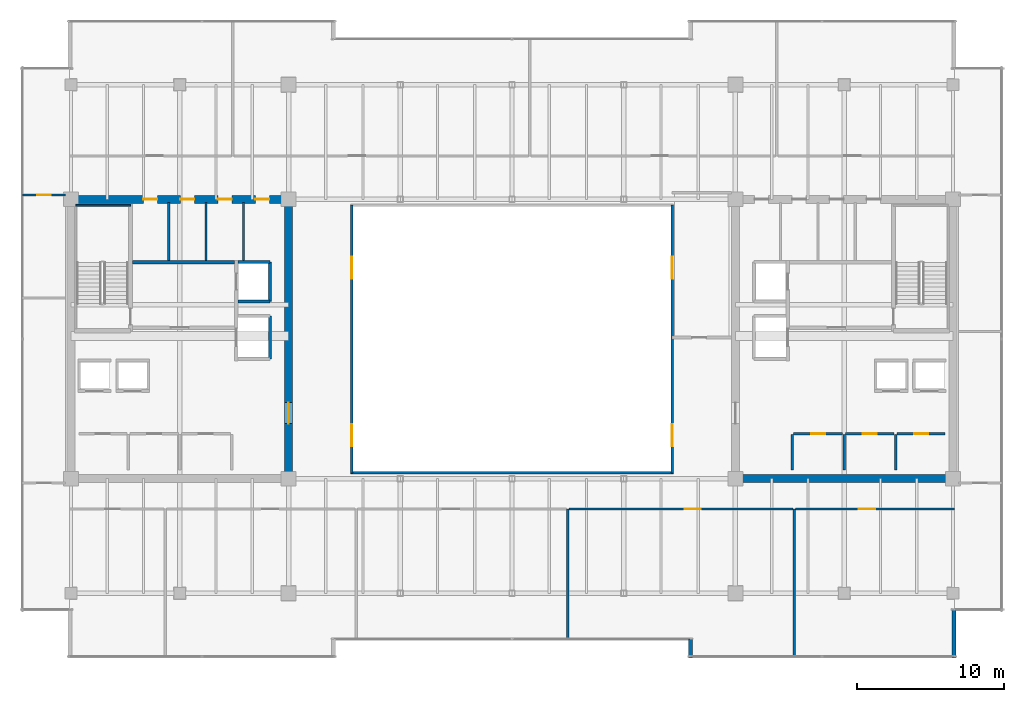
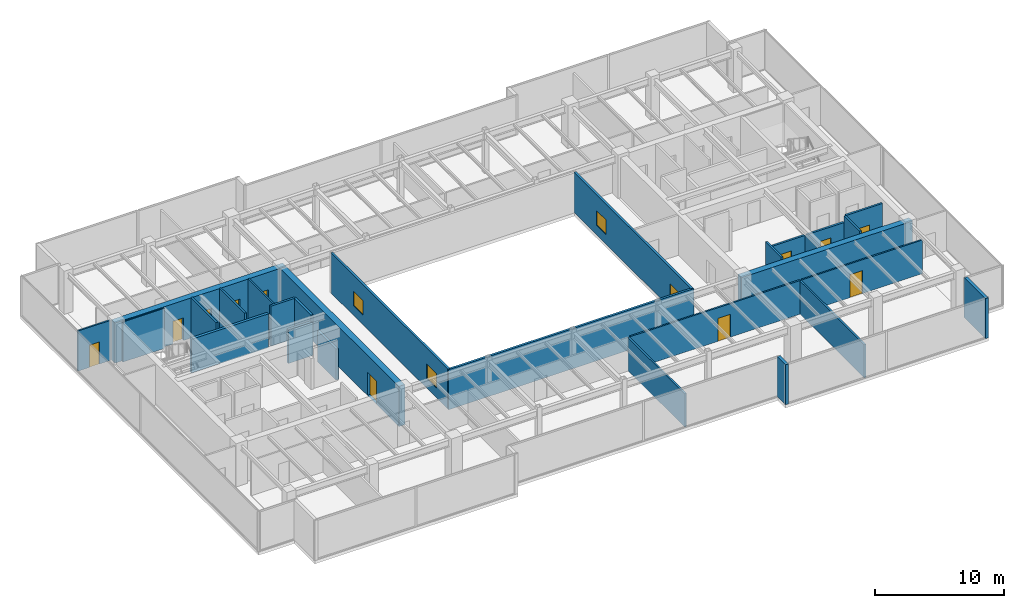
# One storey, part 29 of 35: 28 walls, 11 doors, 4 windows, 15 openings.
"""IFC4 building model written with IfcOpenShell, lengths in metres."""

from ifc_helpers import new_model, si_unit, direction, frame, frame_2d, origin, place, context, subcontext, project, spatial, rectangle, extrude, source, transform, mapped, material, layer, layer_set, type_object, type_shapes, element, fill, save


model = new_model("IFC4")

# Units and contexts
model_context = context("Model", 3, precision=1e-05, world=origin(), true_north=direction((0.0, 1.0)))
body_context = subcontext(model_context, "Body", "Model", "MODEL_VIEW")
ifc_project = project(units=[si_unit("LENGTHUNIT", "METRE"), si_unit("AREAUNIT", "SQUARE_METRE"), si_unit("VOLUMEUNIT", "CUBIC_METRE"), si_unit("PLANEANGLEUNIT", "RADIAN"), si_unit("MASSUNIT", "GRAM", prefix="KILO")], contexts=[model_context])

# Site, building, storey
site_placement = place(None, origin())
site = spatial("IfcSite", under=ifc_project, at=site_placement, CompositionType="ELEMENT")
building_placement = place(site_placement, origin())
building = spatial("IfcBuilding", under=site, at=building_placement, Name="Haelvirn Gate Laboratories", CompositionType="ELEMENT")
storey_placement = place(building_placement, frame((0.0, 0.0, 226.0)))
storey = spatial("IfcBuildingStorey", under=building, at=storey_placement, Name="L54", CompositionType="ELEMENT", Elevation=226.0)

# Walls
ifc_material_1 = material(Name="Thermally-broken bronze aluminium rainscreen & mineral wool", Category="aluminium")
ifc_layer_1 = layer(ifc_material_1, 0.280029296875, Name="EW-TERR-280")
ifc_layer_set_1 = layer_set([ifc_layer_1], Name="Thermally-broken bronze aluminium rainscreen & mineral wool")
wall_type_1 = type_object("IfcWallType", Name="EW-TERR-280", PredefinedType="STANDARD", material=ifc_layer_set_1)
wall_1_placement = place(storey_placement, frame((49.5400390625, 3.89306640625, 0.0), z_axis=(0.0, 0.0, 1.0), x_axis=(0.0, -1.0, 0.0)))
element("IfcWall", 1, at=wall_1_placement, inside=storey, type_object=wall_type_1, Name="L54 Atrium Recess Bronze Return Wall 03", PredefinedType="STANDARD", context=body_context, shape_type="SweptSolid", body=[
    extrude(rectangle(XDim=1.29296875, YDim=0.280029296875, at=frame_2d((0.646484375, 0.0))), origin(), (0.0, 0.0, 1.0), 3.800048828125),
])
wall_2_placement = place(storey_placement, frame((67.4599609375, 2.60009765625, 0.0), z_axis=(0.0, 0.0, 1.0), x_axis=(0.0, 1.0, 0.0)))
element("IfcWall", 2, at=wall_2_placement, inside=storey, type_object=wall_type_1, Name="L54 Atrium Recess Bronze Return Wall 05", PredefinedType="STANDARD", context=body_context, shape_type="SweptSolid", body=[
    extrude(rectangle(XDim=3.287841796875, YDim=0.280029296875, at=frame_2d((1.64404296875, 0.0))), origin(), (0.0, 0.0, 1.0), 3.800048828125),
])
ifc_material_2 = material(Name="Double-layer acoustic gypsum laboratory partition", Category="gypsum")
ifc_layer_2 = layer(ifc_material_2, 0.159912109375, Name="IW-ACOUST-160")
ifc_layer_set_2 = layer_set([ifc_layer_2], Name="Double-layer acoustic gypsum laboratory partition")
wall_type_2 = type_object("IfcWallType", Name="IW-ACOUST-160", PredefinedType="PARTITIONING", material=ifc_layer_set_2)
wall_3_placement = place(storey_placement, frame((41.199951171875, 3.909912109375, 0.0), z_axis=(0.0, 0.0, 1.0), x_axis=(0.0, 1.0, 0.0)))
element("IfcWall", 3, at=wall_3_placement, inside=storey, type_object=wall_type_2, Name="L54 Interior Wall IW-L54-SDIV-03", PredefinedType="PARTITIONING", context=body_context, shape_type="SweptSolid", body=[
    extrude(rectangle(XDim=8.830078125, YDim=0.159912109375, at=frame_2d((4.4150390625, 0.0))), origin(), (0.0, 0.0, 1.0), 3.135009765625),
])
wall_4_placement = place(storey_placement, frame((56.60009765625, 2.7099609375, 0.0), z_axis=(0.0, 0.0, 1.0), x_axis=(0.0, 1.0, 0.0)))
element("IfcWall", 4, at=wall_4_placement, inside=storey, type_object=wall_type_2, Name="L54 Interior Wall IW-L54-SDIV-04", PredefinedType="PARTITIONING", context=body_context, shape_type="SweptSolid", body=[
    extrude(rectangle(XDim=10.030029296875, YDim=0.159912109375, at=frame_2d((5.01513671875, 0.0))), origin(), (0.0, 0.0, 1.0), 3.135009765625),
])

# Wall, openings, windows
ifc_material_3 = material(Name="Tempered fire-rated borosilicate glass & anodised aluminium", Category="aluminium")
ifc_layer_3 = layer(ifc_material_3, 0.195068359375, Name="IW-GLAZ-200")
ifc_layer_set_3 = layer_set([ifc_layer_3], Name="Tempered fire-rated borosilicate glass & anodised aluminium")
wall_type_3 = type_object("IfcWallType", Name="IW-GLAZ-200", PredefinedType="SOLIDWALL", material=ifc_layer_set_3)
wall_5_placement = place(storey_placement, frame((26.5, 15.199951171875, 0.0), z_axis=(0.0, 0.0, 1.0), x_axis=(0.0, 1.0, 0.0)))
wall_5 = element("IfcWall", 5, at=wall_5_placement, inside=storey, type_object=wall_type_3, Name="L54 Interior Wall IW-L54-ATRIUM-W", PredefinedType="SOLIDWALL", context=body_context, shape_type="SweptSolid", body=[
    extrude(rectangle(XDim=18.199951171875, YDim=0.195068359375, at=frame_2d((9.10009765625, 0.0))), origin(), (0.0, 0.0, 1.0), 3.800048828125),
])
opening_1_placement = place(wall_5_placement, frame((1.800048828125, 0.0, 0.89990234375)))
opening_1 = element("IfcOpeningElement", 6, at=opening_1_placement, cuts=wall_5, Name="Opening W5", PredefinedType="OPENING", context=body_context, shape_type="SweptSolid", body=[
    extrude(rectangle(XDim=1.5, YDim=1.39990234375, at=frame_2d((0.75, 0.699951171875))), frame((0.0, 0.107421875, 0.0), z_axis=(0.0, -1.0, 0.0), x_axis=(1.0, 0.0, 0.0)), (0.0, 0.0, 1.0), 0.215087890625),
])
opening_2_placement = place(wall_5_placement, frame((13.199951171875, 0.0, 0.89990234375)))
opening_2 = element("IfcOpeningElement", 7, at=opening_2_placement, cuts=wall_5, Name="Opening W5", PredefinedType="OPENING", context=body_context, shape_type="SweptSolid", body=[
    extrude(rectangle(XDim=1.5, YDim=1.39990234375, at=frame_2d((0.75, 0.699951171875))), frame((0.0, 0.107421875, 0.0), z_axis=(0.0, -1.0, 0.0), x_axis=(1.0, 0.0, 0.0)), (0.0, 0.0, 1.0), 0.215087890625),
])
ifc_material_4 = material(Name="Fire-rated EI 120 borosilicate atrium vision glazing", Category="glass")
window_type = type_object("IfcWindowType", Name="WN-ATR-1500", PartitioningType="SINGLE_PANEL", PredefinedType="WINDOW", material=ifc_material_4)
shared_shape_1 = source(origin(), body_context, "Body", "SweptSolid", [
    extrude(rectangle(XDim=1.5, YDim=1.39990234375, at=frame_2d((0.75, 0.699951171875))), frame((0.0, 0.030029296875, 0.0), z_axis=(0.0, -1.0, 0.0), x_axis=(1.0, 0.0, 0.0)), (0.0, 0.0, 1.0), 0.06005859375),
])
type_shapes(window_type, [shared_shape_1])
window_1_placement = place(opening_1_placement, origin())
window_1 = element("IfcWindow", 8, at=window_1_placement, inside=storey, type_object=window_type, Name="L54 Atrium Observation Window 1", OverallHeight=1.39990234375, OverallWidth=1.5, PartitioningType="SINGLE_PANEL", PredefinedType="WINDOW", context=body_context, shape_type="MappedRepresentation", body=[
    mapped(shared_shape_1, transform((0.0, 0.0, 0.0), scale=1.0)),
])
fill(opening_1, window_1)
window_2_placement = place(opening_2_placement, origin())
window_2 = element("IfcWindow", 9, at=window_2_placement, inside=storey, type_object=window_type, Name="L54 Atrium Observation Window 2", OverallHeight=1.39990234375, OverallWidth=1.5, PartitioningType="SINGLE_PANEL", PredefinedType="WINDOW", context=body_context, shape_type="MappedRepresentation", body=[
    mapped(shared_shape_1, transform((0.0, 0.0, 0.0), scale=1.0)),
])
fill(opening_2, window_2)

wall_6_placement = place(storey_placement, frame((48.300048828125, 15.199951171875, 0.0), z_axis=(0.0, 0.0, 1.0), x_axis=(0.0, 1.0, 0.0)))
wall_6 = element("IfcWall", 10, at=wall_6_placement, inside=storey, type_object=wall_type_3, Name="L54 Interior Wall IW-L54-ATRIUM-E", PredefinedType="SOLIDWALL", context=body_context, shape_type="SweptSolid", body=[
    extrude(rectangle(XDim=18.199951171875, YDim=0.195068359375, at=frame_2d((9.10009765625, 0.0))), origin(), (0.0, 0.0, 1.0), 3.800048828125),
])
opening_3_placement = place(wall_6_placement, frame((1.800048828125, 0.0, 0.89990234375)))
opening_3 = element("IfcOpeningElement", 11, at=opening_3_placement, cuts=wall_6, Name="Opening W5", PredefinedType="OPENING", context=body_context, shape_type="SweptSolid", body=[
    extrude(rectangle(XDim=1.5, YDim=1.39990234375, at=frame_2d((0.75, 0.699951171875))), frame((0.0, 0.107421875, 0.0), z_axis=(0.0, -1.0, 0.0), x_axis=(1.0, 0.0, 0.0)), (0.0, 0.0, 1.0), 0.215087890625),
])
opening_4_placement = place(wall_6_placement, frame((13.199951171875, 0.0, 0.89990234375)))
opening_4 = element("IfcOpeningElement", 12, at=opening_4_placement, cuts=wall_6, Name="Opening W5", PredefinedType="OPENING", context=body_context, shape_type="SweptSolid", body=[
    extrude(rectangle(XDim=1.5, YDim=1.39990234375, at=frame_2d((0.75, 0.699951171875))), frame((0.0, 0.107421875, 0.0), z_axis=(0.0, -1.0, 0.0), x_axis=(1.0, 0.0, 0.0)), (0.0, 0.0, 1.0), 0.215087890625),
])
window_3_placement = place(opening_3_placement, origin())
window_3 = element("IfcWindow", 13, at=window_3_placement, inside=storey, type_object=window_type, Name="L54 Atrium Observation Window 1", OverallHeight=1.39990234375, OverallWidth=1.5, PartitioningType="SINGLE_PANEL", PredefinedType="WINDOW", context=body_context, shape_type="MappedRepresentation", body=[
    mapped(shared_shape_1, transform((0.0, 0.0, 0.0), scale=1.0)),
])
fill(opening_3, window_3)
window_4_placement = place(opening_4_placement, origin())
window_4 = element("IfcWindow", 14, at=window_4_placement, inside=storey, type_object=window_type, Name="L54 Atrium Observation Window 2", OverallHeight=1.39990234375, OverallWidth=1.5, PartitioningType="SINGLE_PANEL", PredefinedType="WINDOW", context=body_context, shape_type="MappedRepresentation", body=[
    mapped(shared_shape_1, transform((0.0, 0.0, 0.0), scale=1.0)),
])
fill(opening_4, window_4)

# Wall
wall_7_placement = place(storey_placement, frame((26.39990234375, 15.199951171875, 0.0), z_axis=(0.0, 0.0, 1.0), x_axis=(1.0, 0.0, 0.0)))
element("IfcWall", 15, at=wall_7_placement, inside=storey, type_object=wall_type_3, Name="L54 Interior Wall IW-L54-ATRIUM-S", PredefinedType="SOLIDWALL", context=body_context, shape_type="SweptSolid", body=[
    extrude(rectangle(XDim=22.0, YDim=0.195068359375, at=frame_2d((11.0, 0.0))), origin(), (0.0, 0.0, 1.0), 3.800048828125),
])

# Wall, opening, door
ifc_material_5 = material(Name="Acoustic mineral-wool gypsum board partition", Category="gypsum")
ifc_layer_4 = layer(ifc_material_5, 0.139892578125, Name="IW-PART-140")
ifc_layer_set_4 = layer_set([ifc_layer_4], Name="Acoustic mineral-wool gypsum board partition")
wall_type_4 = type_object("IfcWallType", Name="IW-PART-140", PredefinedType="PARTITIONING", material=ifc_layer_set_4)
wall_8_placement = place(storey_placement, frame((41.280029296875, 12.739990234375, 0.0), z_axis=(0.0, 0.0, 1.0), x_axis=(1.0, 0.0, 0.0)))
wall_8 = element("IfcWall", 16, at=wall_8_placement, inside=storey, type_object=wall_type_4, Name="L54 Interior Wall IW-L54-SCORR-04", PredefinedType="PARTITIONING", context=body_context, shape_type="SweptSolid", body=[
    extrude(rectangle(XDim=15.239990234375, YDim=0.139892578125, at=frame_2d((7.6201171875, 0.0))), origin(), (0.0, 0.0, 1.0), 3.197021484375),
])
opening_5_placement = place(wall_8_placement, frame((7.87646484375, 0.0, 0.0)))
opening_5 = element("IfcOpeningElement", 17, at=opening_5_placement, cuts=wall_8, Name="Opening D1", PredefinedType="OPENING", context=body_context, shape_type="SweptSolid", body=[
    extrude(rectangle(XDim=1.10009765625, YDim=2.179931640625, at=frame_2d((0.550048828125, 1.08984375))), frame((0.0, 0.080078125, 0.0), z_axis=(0.0, -1.0, 0.0), x_axis=(1.0, 0.0, 0.0)), (0.0, 0.0, 1.0), 0.159912109375),
])
ifc_material_6 = material(Name="Vision-panel acoustic solid-core timber lab door", Category="wood")
door_type_1 = type_object("IfcDoorType", Name="DR-LAB-1100", OperationType="NOTDEFINED", PredefinedType="DOOR", material=ifc_material_6)
shared_shape_2 = source(origin(), body_context, "Body", "SweptSolid", [
    extrude(rectangle(XDim=1.10009765625, YDim=2.179931640625, at=frame_2d((0.550048828125, 1.08984375))), frame((0.0, 0.02490234375, 0.0), z_axis=(0.0, -1.0, 0.0), x_axis=(1.0, 0.0, 0.0)), (0.0, 0.0, 1.0), 0.050048828125),
])
type_shapes(door_type_1, [shared_shape_2])
door_1_placement = place(opening_5_placement, origin())
door_1 = element("IfcDoor", 18, at=door_1_placement, inside=storey, type_object=door_type_1, Name="L54 Translational Data Office Door S4", OperationType="SINGLE_SWING_RIGHT", OverallHeight=2.179931640625, OverallWidth=1.10009765625, PredefinedType="DOOR", context=body_context, shape_type="MappedRepresentation", body=[
    mapped(shared_shape_2, transform((0.0, 0.0, 0.0), scale=1.0)),
])
fill(opening_5, door_1)

wall_9_placement = place(storey_placement, frame((56.679931640625, 12.739990234375, 0.0), z_axis=(0.0, 0.0, 1.0), x_axis=(1.0, 0.0, 0.0)))
wall_9 = element("IfcWall", 19, at=wall_9_placement, inside=storey, type_object=wall_type_4, Name="L54 Interior Wall IW-L54-SCORR-05", PredefinedType="PARTITIONING", context=body_context, shape_type="SweptSolid", body=[
    extrude(rectangle(XDim=10.81005859375, YDim=0.139892578125, at=frame_2d((5.405029296875, 0.0))), origin(), (0.0, 0.0, 1.0), 3.197021484375),
])
opening_6_placement = place(wall_9_placement, frame((4.314453125, 0.0, 0.0)))
opening_6 = element("IfcOpeningElement", 20, at=opening_6_placement, cuts=wall_9, Name="Opening D1", PredefinedType="OPENING", context=body_context, shape_type="SweptSolid", body=[
    extrude(rectangle(XDim=1.10009765625, YDim=2.179931640625, at=frame_2d((0.550048828125, 1.08984375))), frame((0.0, 0.080078125, 0.0), z_axis=(0.0, -1.0, 0.0), x_axis=(1.0, 0.0, 0.0)), (0.0, 0.0, 1.0), 0.159912109375),
])
door_2_placement = place(opening_6_placement, origin())
door_2 = element("IfcDoor", 21, at=door_2_placement, inside=storey, type_object=door_type_1, Name="L54 Peer-Review Seminar Room Door S5", OperationType="SINGLE_SWING_LEFT", OverallHeight=2.179931640625, OverallWidth=1.10009765625, PredefinedType="DOOR", context=body_context, shape_type="MappedRepresentation", body=[
    mapped(shared_shape_2, transform((0.0, 0.0, 0.0), scale=1.0)),
])
fill(opening_6, door_2)

wall_10_placement = place(storey_placement, frame((4.110107421875, 34.094970703125, 0.0), z_axis=(0.0, 0.0, 1.0), x_axis=(1.0, 0.0, 0.0)))
wall_10 = element("IfcWall", 22, at=wall_10_placement, inside=storey, type_object=wall_type_4, Name="L54 Interior Wall IW-L54-WZ3-ENT-N", PredefinedType="PARTITIONING", context=body_context, shape_type="SweptSolid", body=[
    extrude(rectangle(XDim=2.909912109375, YDim=0.139892578125, at=frame_2d((1.455078125, 0.0))), origin(), (0.0, 0.0, 1.0), 3.800048828125),
])
opening_7_placement = place(wall_10_placement, frame((1.0048828125, 0.0, 0.0)))
opening_7 = element("IfcOpeningElement", 23, at=opening_7_placement, cuts=wall_10, Name="Opening D4", PredefinedType="OPENING", context=body_context, shape_type="SweptSolid", body=[
    extrude(rectangle(XDim=0.89990234375, YDim=2.10009765625, at=frame_2d((0.449951171875, 1.050048828125))), frame((0.0, 0.080078125, 0.0), z_axis=(0.0, -1.0, 0.0), x_axis=(1.0, 0.0, 0.0)), (0.0, 0.0, 1.0), 0.159912109375),
])
ifc_material_7 = material(Name="Glazed aluminium-framed write-up door", Category="aluminium")
door_type_2 = type_object("IfcDoorType", Name="DR-OFF-900", OperationType="NOTDEFINED", PredefinedType="DOOR", material=ifc_material_7)
shared_shape_3 = source(origin(), body_context, "Body", "SweptSolid", [
    extrude(rectangle(XDim=0.89990234375, YDim=2.10009765625, at=frame_2d((0.449951171875, 1.050048828125))), frame((0.0, 0.02490234375, 0.0), z_axis=(0.0, -1.0, 0.0), x_axis=(1.0, 0.0, 0.0)), (0.0, 0.0, 1.0), 0.050048828125),
])
type_shapes(door_type_2, [shared_shape_3])
door_3_placement = place(opening_7_placement, origin())
door_3 = element("IfcDoor", 24, at=door_3_placement, inside=storey, type_object=door_type_2, Name="L54 Floor Hydration & Tea Servery Door W-N", OperationType="SINGLE_SWING_RIGHT", OverallHeight=2.10009765625, OverallWidth=0.89990234375, PredefinedType="DOOR", context=body_context, shape_type="MappedRepresentation", body=[
    mapped(shared_shape_3, transform((0.0, 0.0, 0.0), scale=1.0)),
])
fill(opening_7, door_3)

# Walls
ifc_material_8 = material(Name="Cement-board restroom plumbing chase wall", Category="gypsum")
ifc_layer_5 = layer(ifc_material_8, 0.155029296875, Name="IW-PLUMB-160")
ifc_layer_set_5 = layer_set([ifc_layer_5], Name="Cement-board restroom plumbing chase wall")
wall_type_5 = type_object("IfcWallType", Name="IW-PLUMB-160", PredefinedType="PLUMBINGWALL", material=ifc_layer_set_5)
for number, where, z_axis, x_axis, name in (
    (25, (14.0400390625, 29.64990234375, 0.0), (0.0, 0.0, 1.0), (0.0, 1.0, 0.0), "L54 Interior Wall IW-L54-W-CDIV-1"),
    (26, (16.590087890625, 29.64990234375, 0.0), (0.0, 0.0, 1.0), (0.0, 1.0, 0.0), "L54 Interior Wall IW-L54-W-CDIV-2"),
    (27, (19.139892578125, 29.64990234375, 0.0), (0.0, 0.0, 1.0), (0.0, 1.0, 0.0), "L54 Interior Wall IW-L54-W-CDIV-3"),
):
    element("IfcWall", number, at=place(storey_placement, frame(where, z_axis=z_axis, x_axis=x_axis)), inside=storey, type_object=wall_type_5, Name=name, PredefinedType="PLUMBINGWALL", context=body_context, shape_type="SweptSolid", body=[
        extrude(rectangle(XDim=3.93017578125, YDim=0.155029296875, at=frame_2d((1.965087890625, 0.0))), origin(), (0.0, 0.0, 1.0), 3.800048828125),
    ])

# Wall, opening, door
ifc_material_9 = material(Name="Concrete C40/50", Category="concrete")
ifc_layer_6 = layer(ifc_material_9, 0.179931640625, Name="IW-SHAFT-180")
ifc_layer_set_6 = layer_set([ifc_layer_6], Name="Concrete C40/50")
wall_type_6 = type_object("IfcWallType", Name="IW-SHAFT-180", PredefinedType="SOLIDWALL", material=ifc_layer_set_6)
wall_11_placement = place(storey_placement, frame((63.60009765625, 17.85009765625, 0.0), z_axis=(0.0, 0.0, 1.0), x_axis=(1.0, 0.0, 0.0)))
wall_11 = element("IfcWall", 28, at=wall_11_placement, inside=storey, type_object=wall_type_6, Name="L54 Interior Wall IW-L54-E-FREED-HN-1", PredefinedType="SOLIDWALL", context=body_context, shape_type="SweptSolid", body=[
    extrude(rectangle(XDim=3.25, YDim=0.179931640625, at=frame_2d((1.625, 0.0))), origin(), (0.0, 0.0, 1.0), 3.800048828125),
])
opening_8_placement = place(wall_11_placement, frame((1.14990234375, 0.0, 0.0)))
opening_8 = element("IfcOpeningElement", 29, at=opening_8_placement, cuts=wall_11, Name="Opening FD4", PredefinedType="OPENING", context=body_context, shape_type="SweptSolid", body=[
    extrude(rectangle(XDim=0.949951171875, YDim=2.14990234375, at=frame_2d((0.47509765625, 1.074951171875))), frame((0.0, 0.10009765625, 0.0), z_axis=(0.0, -1.0, 0.0), x_axis=(1.0, 0.0, 0.0)), (0.0, 0.0, 1.0), 0.199951171875),
])
ifc_material_10 = material(Name="Fire-rated steel SM355 core service door", Category="steel")
door_type_3 = type_object("IfcDoorType", Name="DR-FD-950", OperationType="NOTDEFINED", PredefinedType="DOOR", material=ifc_material_10)
shared_shape_4 = source(origin(), body_context, "Body", "SweptSolid", [
    extrude(rectangle(XDim=0.949951171875, YDim=2.14990234375, at=frame_2d((0.47509765625, 1.074951171875))), frame((0.0, 0.02490234375, 0.0), z_axis=(0.0, -1.0, 0.0), x_axis=(1.0, 0.0, 0.0)), (0.0, 0.0, 1.0), 0.050048828125),
])
type_shapes(door_type_3, [shared_shape_4])
door_4_placement = place(opening_8_placement, origin())
door_4 = element("IfcDoor", 30, at=door_4_placement, inside=storey, type_object=door_type_3, Name="L54 Autoclave Bio-Prep Room Door", OperationType="SINGLE_SWING_LEFT", OverallHeight=2.14990234375, OverallWidth=0.949951171875, PredefinedType="DOOR", context=body_context, shape_type="MappedRepresentation", body=[
    mapped(shared_shape_4, transform((0.0, 0.0, 0.0), scale=1.0)),
])
fill(opening_8, door_4)

# Wall
wall_12_placement = place(storey_placement, frame((63.510009765625, 15.39990234375, 0.0), z_axis=(0.0, 0.0, 1.0), x_axis=(0.0, 1.0, 0.0)))
element("IfcWall", 31, at=wall_12_placement, inside=storey, type_object=wall_type_6, Name="L54 Interior Wall IW-L54-E-FREED-HE-1", PredefinedType="SOLIDWALL", context=body_context, shape_type="SweptSolid", body=[
    extrude(rectangle(XDim=2.400146484375, YDim=0.179931640625, at=frame_2d((1.2001953125, 0.0))), origin(), (0.0, 0.0, 1.0), 3.800048828125),
])

# Wall, opening, door
wall_13_placement = place(storey_placement, frame((60.10009765625, 17.85009765625, 0.0), z_axis=(0.0, 0.0, 1.0), x_axis=(1.0, 0.0, 0.0)))
wall_13 = element("IfcWall", 32, at=wall_13_placement, inside=storey, type_object=wall_type_6, Name="L54 Interior Wall IW-L54-E-FREED-HN-2", PredefinedType="SOLIDWALL", context=body_context, shape_type="SweptSolid", body=[
    extrude(rectangle(XDim=3.2998046875, YDim=0.179931640625, at=frame_2d((1.64990234375, 0.0))), origin(), (0.0, 0.0, 1.0), 3.197021484375),
])
opening_9_placement = place(wall_13_placement, frame((1.175048828125, 0.0, 0.0)))
opening_9 = element("IfcOpeningElement", 33, at=opening_9_placement, cuts=wall_13, Name="Opening FD4", PredefinedType="OPENING", context=body_context, shape_type="SweptSolid", body=[
    extrude(rectangle(XDim=0.949951171875, YDim=2.14990234375, at=frame_2d((0.47509765625, 1.074951171875))), frame((0.0, 0.10009765625, 0.0), z_axis=(0.0, -1.0, 0.0), x_axis=(1.0, 0.0, 0.0)), (0.0, 0.0, 1.0), 0.199951171875),
])
door_5_placement = place(opening_9_placement, origin())
door_5 = element("IfcDoor", 34, at=door_5_placement, inside=storey, type_object=door_type_3, Name="L54 Telemetry Analytics Room Door", OperationType="SINGLE_SWING_RIGHT", OverallHeight=2.14990234375, OverallWidth=0.949951171875, PredefinedType="DOOR", context=body_context, shape_type="MappedRepresentation", body=[
    mapped(shared_shape_4, transform((0.0, 0.0, 0.0), scale=1.0)),
])
fill(opening_9, door_5)

# Wall
wall_14_placement = place(storey_placement, frame((60.010009765625, 15.39990234375, 0.0), z_axis=(0.0, 0.0, 1.0), x_axis=(0.0, 1.0, 0.0)))
element("IfcWall", 35, at=wall_14_placement, inside=storey, type_object=wall_type_6, Name="L54 Interior Wall IW-L54-E-FREED-HE-2", PredefinedType="SOLIDWALL", context=body_context, shape_type="SweptSolid", body=[
    extrude(rectangle(XDim=2.400146484375, YDim=0.179931640625, at=frame_2d((1.2001953125, 0.0))), origin(), (0.0, 0.0, 1.0), 3.197021484375),
])

# Wall, opening, door
wall_15_placement = place(storey_placement, frame((56.550048828125, 17.85009765625, 0.0), z_axis=(0.0, 0.0, 1.0), x_axis=(1.0, 0.0, 0.0)))
wall_15 = element("IfcWall", 36, at=wall_15_placement, inside=storey, type_object=wall_type_6, Name="L54 Interior Wall IW-L54-E-FREED-HN-3", PredefinedType="SOLIDWALL", context=body_context, shape_type="SweptSolid", body=[
    extrude(rectangle(XDim=3.349853515625, YDim=0.179931640625, at=frame_2d((1.6748046875, 0.0))), origin(), (0.0, 0.0, 1.0), 3.197021484375),
])
opening_10_placement = place(wall_15_placement, frame((1.199951171875, 0.0, 0.0)))
opening_10 = element("IfcOpeningElement", 37, at=opening_10_placement, cuts=wall_15, Name="Opening FD4", PredefinedType="OPENING", context=body_context, shape_type="SweptSolid", body=[
    extrude(rectangle(XDim=0.949951171875, YDim=2.14990234375, at=frame_2d((0.47509765625, 1.074951171875))), frame((0.0, 0.10009765625, 0.0), z_axis=(0.0, -1.0, 0.0), x_axis=(1.0, 0.0, 0.0)), (0.0, 0.0, 1.0), 0.199951171875),
])
door_6_placement = place(opening_10_placement, origin())
door_6 = element("IfcDoor", 38, at=door_6_placement, inside=storey, type_object=door_type_3, Name="L54 Calibration Metrology Room Door", OperationType="SINGLE_SWING_LEFT", OverallHeight=2.14990234375, OverallWidth=0.949951171875, PredefinedType="DOOR", context=body_context, shape_type="MappedRepresentation", body=[
    mapped(shared_shape_4, transform((0.0, 0.0, 0.0), scale=1.0)),
])
fill(opening_10, door_6)

# Walls
wall_16_placement = place(storey_placement, frame((56.4599609375, 15.39990234375, 0.0), z_axis=(0.0, 0.0, 1.0), x_axis=(0.0, 1.0, 0.0)))
element("IfcWall", 39, at=wall_16_placement, inside=storey, type_object=wall_type_6, Name="L54 Interior Wall IW-L54-E-FREED-HE-3", PredefinedType="SOLIDWALL", context=body_context, shape_type="SweptSolid", body=[
    extrude(rectangle(XDim=2.400146484375, YDim=0.179931640625, at=frame_2d((1.2001953125, 0.0))), origin(), (0.0, 0.0, 1.0), 3.800048828125),
])
ifc_layer_7 = layer(ifc_material_9, 0.199951171875, Name="IW-SHAFT-200")
ifc_layer_set_7 = layer_set([ifc_layer_7], Name="Concrete C40/50")
wall_type_7 = type_object("IfcWallType", Name="IW-SHAFT-200", PredefinedType="SOLIDWALL", material=ifc_layer_set_7)
wall_17_placement = place(storey_placement, frame((20.949951171875, 26.85009765625, 0.0), z_axis=(0.0, 0.0, 1.0), x_axis=(0.0, 1.0, 0.0)))
element("IfcWall", 40, at=wall_17_placement, inside=storey, type_object=wall_type_7, Name="L54 Interior Wall IW-L54-FL1-BK", PredefinedType="SOLIDWALL", context=body_context, shape_type="SweptSolid", body=[
    extrude(rectangle(XDim=2.699951171875, YDim=0.199951171875, at=frame_2d((1.35009765625, 0.0))), origin(), (0.0, 0.0, 1.0), 3.800048828125),
])
wall_18_placement = place(storey_placement, frame((18.760009765625, 29.550048828125, 0.0), z_axis=(0.0, 0.0, 1.0), x_axis=(1.0, 0.0, 0.0)))
element("IfcWall", 41, at=wall_18_placement, inside=storey, type_object=wall_type_7, Name="L54 Interior Wall IW-L54-FL1-N", PredefinedType="SOLIDWALL", context=body_context, shape_type="SweptSolid", body=[
    extrude(rectangle(XDim=2.18994140625, YDim=0.199951171875, at=frame_2d((1.094970703125, 0.0))), origin(), (0.0, 0.0, 1.0), 3.800048828125),
])
wall_19_placement = place(storey_placement, frame((18.760009765625, 26.85009765625, 0.0), z_axis=(0.0, 0.0, 1.0), x_axis=(1.0, 0.0, 0.0)))
element("IfcWall", 42, at=wall_19_placement, inside=storey, type_object=wall_type_7, Name="L54 Interior Wall IW-L54-FL1-S", PredefinedType="SOLIDWALL", context=body_context, shape_type="SweptSolid", body=[
    extrude(rectangle(XDim=2.18994140625, YDim=0.199951171875, at=frame_2d((1.094970703125, 0.0))), origin(), (0.0, 0.0, 1.0), 3.197021484375),
])
wall_20_placement = place(storey_placement, frame((20.949951171875, 22.949951171875, 0.0), z_axis=(0.0, 0.0, 1.0), x_axis=(0.0, 1.0, 0.0)))
element("IfcWall", 43, at=wall_20_placement, inside=storey, type_object=wall_type_7, Name="L54 Interior Wall IW-L54-SL1-BK", PredefinedType="SOLIDWALL", context=body_context, shape_type="SweptSolid", body=[
    extrude(rectangle(XDim=2.900146484375, YDim=0.199951171875, at=frame_2d((1.4501953125, 0.0))), origin(), (0.0, 0.0, 1.0), 2.93505859375),
])
ifc_layer_8 = layer(ifc_material_9, 0.239990234375, Name="IW-SHAFT-240")
ifc_layer_set_8 = layer_set([ifc_layer_8], Name="Concrete C40/50")
wall_type_8 = type_object("IfcWallType", Name="IW-SHAFT-240", PredefinedType="SOLIDWALL", material=ifc_layer_set_8)
wall_21_placement = place(storey_placement, frame((11.60009765625, 29.52001953125, 0.0), z_axis=(0.0, 0.0, 1.0), x_axis=(1.0, 0.0, 0.0)))
element("IfcWall", 44, at=wall_21_placement, inside=storey, type_object=wall_type_8, Name="L54 Interior Wall IW-L54-W-FF-N", PredefinedType="SOLIDWALL", context=body_context, shape_type="SweptSolid", body=[
    extrude(rectangle(XDim=6.919921875, YDim=0.239990234375, at=frame_2d((3.4599609375, 0.0))), origin(), (0.0, 0.0, 1.0), 3.197021484375),
])

# Wall, openings, doors
ifc_material_11 = material(Name="Concrete C50/60", Category="concrete")
ifc_layer_9 = layer(ifc_material_11, 0.550048828125, Name="SW-CORE-550")
ifc_layer_set_9 = layer_set([ifc_layer_9], Name="Concrete C50/60")
wall_type_9 = type_object("IfcWallType", Name="SW-CORE-550", PredefinedType="SHEAR", material=ifc_layer_set_9)
wall_22_placement = place(storey_placement, frame((7.125, 33.800048828125, 0.0), z_axis=(0.0, 0.0, 1.0), x_axis=(1.0, 0.0, 0.0)))
wall_22 = element("IfcWall", 45, at=wall_22_placement, inside=storey, type_object=wall_type_9, Name="L54 W Core Shear Wall N", PredefinedType="SHEAR", context=body_context, shape_type="SweptSolid", body=[
    extrude(rectangle(XDim=15.35009765625, YDim=0.550048828125, at=frame_2d((7.675048828125, 0.0))), origin(), (0.0, 0.0, 1.0), 3.800048828125),
])
opening_11_placement = place(wall_22_placement, frame((5.199951171875, 0.0, 0.0)))
opening_11 = element("IfcOpeningElement", 46, at=opening_11_placement, cuts=wall_22, Name="Opening FD4", PredefinedType="OPENING", context=body_context, shape_type="SweptSolid", body=[
    extrude(rectangle(XDim=0.949951171875, YDim=2.14990234375, at=frame_2d((0.47509765625, 1.074951171875))), frame((0.0, 0.28515625, 0.0), z_axis=(0.0, -1.0, 0.0), x_axis=(1.0, 0.0, 0.0)), (0.0, 0.0, 1.0), 0.570068359375),
])
opening_12_placement = place(wall_22_placement, frame((7.715087890625, 0.0, 0.0)))
opening_12 = element("IfcOpeningElement", 47, at=opening_12_placement, cuts=wall_22, Name="Opening FD4", PredefinedType="OPENING", context=body_context, shape_type="SweptSolid", body=[
    extrude(rectangle(XDim=0.949951171875, YDim=2.14990234375, at=frame_2d((0.47509765625, 1.074951171875))), frame((0.0, 0.28515625, 0.0), z_axis=(0.0, -1.0, 0.0), x_axis=(1.0, 0.0, 0.0)), (0.0, 0.0, 1.0), 0.570068359375),
])
opening_13_placement = place(wall_22_placement, frame((10.264892578125, 0.0, 0.0)))
opening_13 = element("IfcOpeningElement", 48, at=opening_13_placement, cuts=wall_22, Name="Opening FD4", PredefinedType="OPENING", context=body_context, shape_type="SweptSolid", body=[
    extrude(rectangle(XDim=0.949951171875, YDim=2.14990234375, at=frame_2d((0.47509765625, 1.074951171875))), frame((0.0, 0.28515625, 0.0), z_axis=(0.0, -1.0, 0.0), x_axis=(1.0, 0.0, 0.0)), (0.0, 0.0, 1.0), 0.570068359375),
])
opening_14_placement = place(wall_22_placement, frame((12.81494140625, 0.0, 0.0)))
opening_14 = element("IfcOpeningElement", 49, at=opening_14_placement, cuts=wall_22, Name="Opening FD4", PredefinedType="OPENING", context=body_context, shape_type="SweptSolid", body=[
    extrude(rectangle(XDim=0.949951171875, YDim=2.14990234375, at=frame_2d((0.47509765625, 1.074951171875))), frame((0.0, 0.28515625, 0.0), z_axis=(0.0, -1.0, 0.0), x_axis=(1.0, 0.0, 0.0)), (0.0, 0.0, 1.0), 0.570068359375),
])
door_7_placement = place(opening_11_placement, origin())
door_7 = element("IfcDoor", 50, at=door_7_placement, inside=storey, type_object=door_type_3, Name="L54 Male Restroom Fire Door", OperationType="SINGLE_SWING_LEFT", OverallHeight=2.14990234375, OverallWidth=0.949951171875, PredefinedType="DOOR", context=body_context, shape_type="MappedRepresentation", body=[
    mapped(shared_shape_4, transform((0.0, 0.0, 0.0), scale=1.0)),
])
fill(opening_11, door_7)
door_8_placement = place(opening_12_placement, origin())
door_8 = element("IfcDoor", 51, at=door_8_placement, inside=storey, type_object=door_type_3, Name="L54 Female Restroom Fire Door", OperationType="SINGLE_SWING_RIGHT", OverallHeight=2.14990234375, OverallWidth=0.949951171875, PredefinedType="DOOR", context=body_context, shape_type="MappedRepresentation", body=[
    mapped(shared_shape_4, transform((0.0, 0.0, 0.0), scale=1.0)),
])
fill(opening_12, door_8)
door_9_placement = place(opening_13_placement, origin())
door_9 = element("IfcDoor", 52, at=door_9_placement, inside=storey, type_object=door_type_3, Name="L54 Accessible Restroom Fire Door", OperationType="SINGLE_SWING_LEFT", OverallHeight=2.14990234375, OverallWidth=0.949951171875, PredefinedType="DOOR", context=body_context, shape_type="MappedRepresentation", body=[
    mapped(shared_shape_4, transform((0.0, 0.0, 0.0), scale=1.0)),
])
fill(opening_13, door_9)
door_10_placement = place(opening_14_placement, origin())
door_10 = element("IfcDoor", 53, at=door_10_placement, inside=storey, type_object=door_type_3, Name="L54 Decontamination Shower Washroom Fire Door", OperationType="SINGLE_SWING_RIGHT", OverallHeight=2.14990234375, OverallWidth=0.949951171875, PredefinedType="DOOR", context=body_context, shape_type="MappedRepresentation", body=[
    mapped(shared_shape_4, transform((0.0, 0.0, 0.0), scale=1.0)),
])
fill(opening_14, door_10)

# Wall, opening, door
wall_23_placement = place(storey_placement, frame((22.199951171875, 15.074951171875, 0.0), z_axis=(0.0, 0.0, 1.0), x_axis=(0.0, 1.0, 0.0)))
wall_23 = element("IfcWall", 54, at=wall_23_placement, inside=storey, type_object=wall_type_9, Name="L54 W Core Shear Wall E", PredefinedType="SHEAR", context=body_context, shape_type="SweptSolid", body=[
    extrude(rectangle(XDim=18.449951171875, YDim=0.550048828125, at=frame_2d((9.22509765625, 0.0))), origin(), (0.0, 0.0, 1.0), 3.800048828125),
])
opening_15_placement = place(wall_23_placement, frame((3.47509765625, 0.0, 0.0)))
opening_15 = element("IfcOpeningElement", 55, at=opening_15_placement, cuts=wall_23, Name="Opening FD1", PredefinedType="OPENING", context=body_context, shape_type="SweptSolid", body=[
    extrude(rectangle(XDim=1.419921875, YDim=2.199951171875, at=frame_2d((0.7099609375, 1.10009765625))), frame((0.0, 0.28515625, 0.0), z_axis=(0.0, -1.0, 0.0), x_axis=(1.0, 0.0, 0.0)), (0.0, 0.0, 1.0), 0.570068359375),
])
ifc_material_12 = material(Name="Fire-rated double steel SM355 lobby door", Category="steel")
door_type_4 = type_object("IfcDoorType", Name="DR-FD-1400", OperationType="NOTDEFINED", PredefinedType="DOOR", material=ifc_material_12)
shared_shape_5 = source(origin(), body_context, "Body", "SweptSolid", [
    extrude(rectangle(XDim=1.419921875, YDim=2.199951171875, at=frame_2d((0.7099609375, 1.10009765625))), frame((0.0, 0.02490234375, 0.0), z_axis=(0.0, -1.0, 0.0), x_axis=(1.0, 0.0, 0.0)), (0.0, 0.0, 1.0), 0.050048828125),
])
type_shapes(door_type_4, [shared_shape_5])
door_11_placement = place(opening_15_placement, origin())
door_11 = element("IfcDoor", 56, at=door_11_placement, inside=storey, type_object=door_type_4, Name="L54 West Core Lift Lobby Fire Door", OperationType="DOUBLE_DOOR_SINGLE_SWING", OverallHeight=2.199951171875, OverallWidth=1.419921875, PredefinedType="DOOR", context=body_context, shape_type="MappedRepresentation", body=[
    mapped(shared_shape_5, transform((0.0, 0.0, 0.0), scale=1.0)),
])
fill(opening_15, door_11)

# Walls
wall_24_placement = place(storey_placement, frame((52.324951171875, 14.800048828125, 0.0), z_axis=(0.0, 0.0, 1.0), x_axis=(1.0, 0.0, 0.0)))
element("IfcWall", 57, at=wall_24_placement, inside=storey, type_object=wall_type_9, Name="L54 E Core Shear Wall S", PredefinedType="SHEAR", context=body_context, shape_type="SweptSolid", body=[
    extrude(rectangle(XDim=15.35009765625, YDim=0.550048828125, at=frame_2d((7.675048828125, 0.0))), origin(), (0.0, 0.0, 1.0), 3.800048828125),
])
ifc_layer_10 = layer(ifc_material_11, 0.1201171875, Name="SW-LINER-120")
ifc_layer_set_10 = layer_set([ifc_layer_10], Name="Concrete C50/60")
wall_type_10 = type_object("IfcWallType", Name="SW-LINER-120", PredefinedType="SOLIDWALL", material=ifc_layer_set_10)
wall_25_placement = place(storey_placement, frame((7.72998046875, 33.39990234375, 0.0), z_axis=(0.0, 0.0, 1.0), x_axis=(1.0, 0.0, 0.0)))
element("IfcWall", 58, at=wall_25_placement, inside=storey, type_object=wall_type_10, Name="L54 W Core Stair Shaft Liner Wall N", PredefinedType="SOLIDWALL", context=body_context, shape_type="SweptSolid", body=[
    extrude(rectangle(XDim=3.719970703125, YDim=0.1201171875, at=frame_2d((1.85986328125, 0.0))), origin(), (0.0, 0.0, 1.0), 3.800048828125),
])

save(model, "model.ifc")
